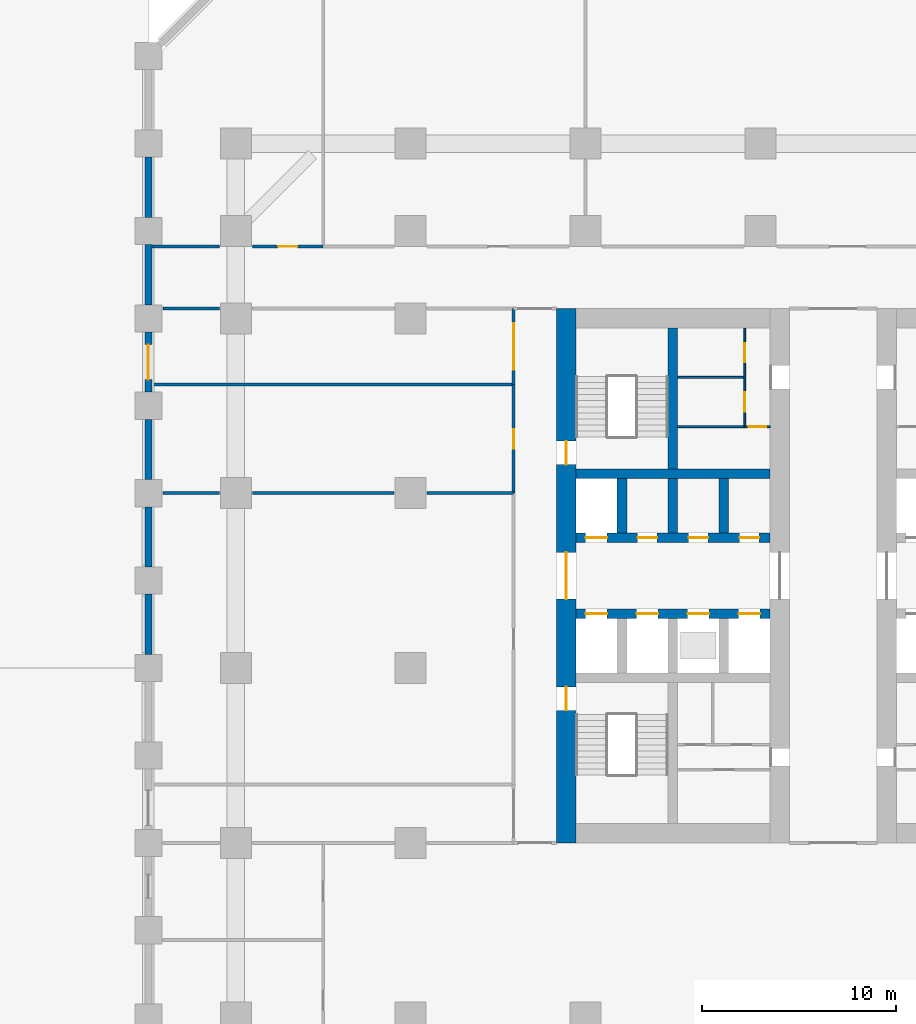
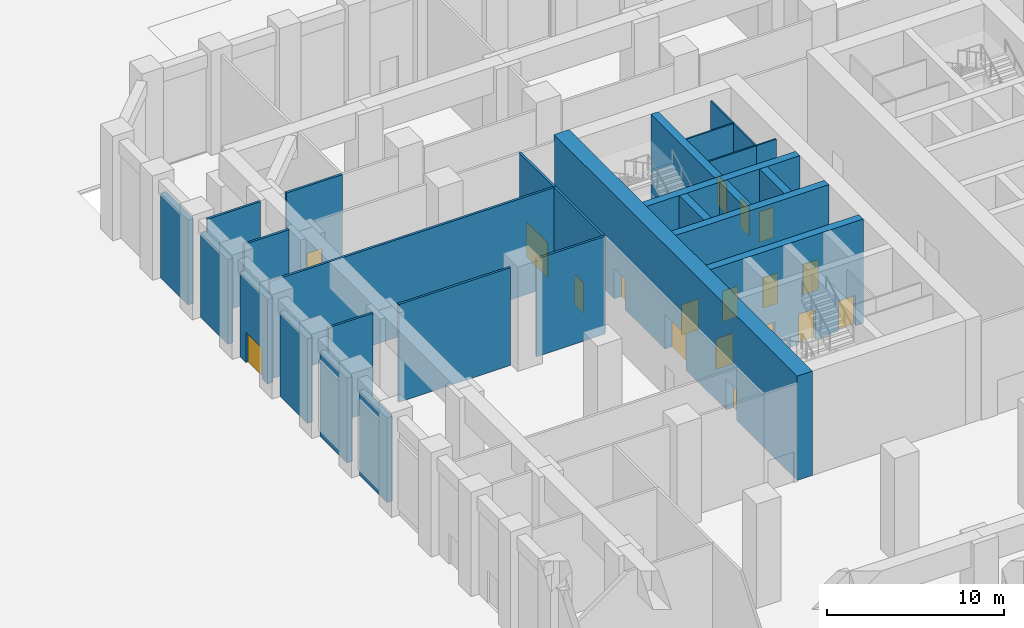
# One storey, part 13 of 30: 28 walls, 18 doors, 18 openings.
"""IFC4 building model written with IfcOpenShell, lengths in metres."""

import ifcopenshell
import ifcopenshell.guid

model = None  # the IFC model being written
_history = None  # IfcOwnerHistory: only IFC2X3 demands one
_inside = {}  # id of a spatial element -> (the spatial element, [elements in it])
_under = {}  # id of a project, library or spatial element -> (it, [spatial elements below it])
_declared = {}  # id of a project -> (the project, [libraries it declares])
_typed = {}  # id of a type object -> (the type object, [elements of that type])
_made_of = {}  # id of a material, layer set ... -> (it, [elements and type objects made of it])


def new_model(schema):
    """Start an empty IFC model of exactly this schema.

    Asked for "IFC4X3", IfcOpenShell would pick the latest addendum, in which some entities
    have other attributes; the version numbers below select the first issue.
    IFC2X3 requires an IfcOwnerHistory on every rooted entity: one is made here for all.
    """
    global model, _history
    if schema == "IFC4X3":
        model = ifcopenshell.file(schema_version=(4, 3, 0, 0))
    else:
        model = ifcopenshell.file(schema=schema)
    _inside.clear()
    _under.clear()
    _declared.clear()
    _typed.clear()
    _made_of.clear()
    _history = None
    if model.schema == "IFC2X3":
        org = make("IfcOrganization", Name="unknown")
        user = make(
            "IfcPersonAndOrganization",
            ThePerson=make("IfcPerson", FamilyName="unknown"),
            TheOrganization=org,
        )
        app = make(
            "IfcApplication",
            ApplicationDeveloper=org,
            Version="unknown",
            ApplicationFullName="unknown",
            ApplicationIdentifier="unknown",
        )
        _history = make(
            "IfcOwnerHistory",
            OwningUser=user,
            OwningApplication=app,
            ChangeAction="ADDED",
            CreationDate=0,
        )
    return model


def make(cls, **values):
    """One entity of the class cls with the attributes given. An attribute that is None is left unset."""
    return model.create_entity(
        cls, **{name: value for name, value in values.items() if value is not None}
    )


def rooted(cls, **values):
    """An entity with a GlobalId (a new one), such as an element, a storey or a relation."""
    return make(cls, GlobalId=ifcopenshell.guid.new(), OwnerHistory=_history, **values)


def si_unit(unit_type, name, prefix=None):
    """IfcSIUnit, for example si_unit("LENGTHUNIT", "METRE", prefix="MILLI")."""
    return make("IfcSIUnit", UnitType=unit_type, Prefix=prefix, Name=name)


def assignment(units):
    """IfcUnitAssignment: the units of a project."""
    return None if units is None else make("IfcUnitAssignment", Units=units)


def point(xyz):
    """IfcCartesianPoint."""
    return None if xyz is None else make("IfcCartesianPoint", Coordinates=xyz)


def direction(xyz):
    """IfcDirection."""
    return None if xyz is None else make("IfcDirection", DirectionRatios=xyz)


def frame(location, z_axis=None, x_axis=None):
    """IfcAxis2Placement3D, a coordinate frame: its origin and axes. An axis left out is left unset."""
    return make(
        "IfcAxis2Placement3D",
        Location=point(location),
        Axis=direction(z_axis),
        RefDirection=direction(x_axis),
    )


def frame_2d(location, x_axis=None):
    """IfcAxis2Placement2D, a coordinate frame in the plane: its origin and x axis."""
    return make(
        "IfcAxis2Placement2D", Location=point(location), RefDirection=direction(x_axis)
    )


def origin():
    """The frame at (0, 0, 0) with its axes left unset."""
    return frame((0.0, 0.0, 0.0))


def place(relative_to, where):
    """IfcLocalPlacement: puts the frame where relative to a parent placement (None: the world)."""
    return make(
        "IfcLocalPlacement", PlacementRelTo=relative_to, RelativePlacement=where
    )


def context(
    kind, dimensions, precision=None, world=None, true_north=None, identifier=None
):
    """IfcGeometricRepresentationContext, for example the 3D "Model" context."""
    return make(
        "IfcGeometricRepresentationContext",
        ContextIdentifier=identifier,
        ContextType=kind,
        CoordinateSpaceDimension=dimensions,
        Precision=precision,
        WorldCoordinateSystem=world,
        TrueNorth=true_north,
    )


def subcontext(parent, identifier, kind, view, scale=None):
    """IfcGeometricRepresentationSubContext, for example "Body" below "Model"."""
    return make(
        "IfcGeometricRepresentationSubContext",
        ContextIdentifier=identifier,
        ContextType=kind,
        ParentContext=parent,
        TargetScale=scale,
        TargetView=view,
    )


def project(units=None, contexts=None):
    """IfcProject with its units and contexts."""
    return rooted(
        "IfcProject",
        Name="project",
        RepresentationContexts=contexts,
        UnitsInContext=assignment(units),
    )


def spatial(cls, under=None, at=None, **own):
    """A site, building, storey or space (cls), placed at a placement, below another one or the project."""
    s = rooted(cls, ObjectPlacement=at, **own)
    if under is not None:
        _under.setdefault(under.id(), (under, []))[1].append(s)
    return s


def profile(cls, at=None, kind="AREA", **sizes):
    """A parametric profile (cls). Its sizes go by their IFC names, for example OverallWidth=200.0."""
    return make(cls, ProfileType=kind, Position=at, **sizes)


def rectangle(**sizes):
    """IfcRectangleProfileDef."""
    return profile("IfcRectangleProfileDef", **sizes)


def extrude(swept, where, along, depth):
    """IfcExtrudedAreaSolid: the profile swept, set in the frame where, extruded along a direction by depth."""
    return make(
        "IfcExtrudedAreaSolid",
        SweptArea=swept,
        Position=where,
        ExtrudedDirection=direction(along),
        Depth=depth,
    )


def shape(context_of_items, identifier, shape_type, items):
    """IfcShapeRepresentation: the items that make up one representation, for example the "Body"."""
    return make(
        "IfcShapeRepresentation",
        ContextOfItems=context_of_items,
        RepresentationIdentifier=identifier,
        RepresentationType=shape_type,
        Items=items,
    )


def material(Name=None, Category=None):
    """IfcMaterial."""
    return make("IfcMaterial", Name=Name, Category=Category)


def layer(
    of_material, thickness, ventilated=None, Name=None, Category=None, Priority=None
):
    """IfcMaterialLayer: one layer of a wall or slab, of a material (None: an air gap)."""
    return make(
        "IfcMaterialLayer",
        Material=of_material,
        LayerThickness=thickness,
        IsVentilated=ventilated,
        Name=Name,
        Category=Category,
        Priority=Priority,
    )


def layer_set(layers, Name=None):
    """IfcMaterialLayerSet."""
    return make("IfcMaterialLayerSet", MaterialLayers=layers, LayerSetName=Name)


def made_of(thing, what):
    """Note that an element or type object is made of a material, layer set ...; save() writes the relation."""
    if what is not None:
        _made_of.setdefault(what.id(), (what, []))[1].append(thing)
    return thing


def type_object(cls, material=None, **own):
    """A type object (cls), such as IfcWallType, which elements share."""
    return made_of(rooted(cls, **own), material)


def element(
    cls,
    number,
    at=None,
    inside=None,
    cuts=None,
    type_object=None,
    material=None,
    context=None,
    identifier="Body",
    shape_type=None,
    held_by="IfcProductDefinitionShape",
    body=None,
    shapes=None,
    **own,
):
    """One element of the class cls, such as IfcWall. Its Tag is "e" and its number.

    at: its placement. inside: the storey or other place that contains it. cuts: it is an
    opening in that element (IfcRelVoidsElement). A single representation is given by context,
    identifier, shape_type and body (its items); several are given by shapes. held_by: the class
    of the entity that holds the representations. save() writes the other relations.
    """
    e = rooted(cls, Tag="e%d" % number, ObjectPlacement=at, **own)
    if body is not None:
        shapes = [shape(context, identifier, shape_type, body)]
    if shapes is not None:
        e.Representation = make(held_by, Representations=shapes)
    if inside is not None:
        _inside.setdefault(inside.id(), (inside, []))[1].append(e)
    if cuts is not None:
        rooted(
            "IfcRelVoidsElement", RelatingBuildingElement=cuts, RelatedOpeningElement=e
        )
    if type_object is not None:
        _typed.setdefault(type_object.id(), (type_object, []))[1].append(e)
    return made_of(e, material)


def fill(opening, filler):
    """IfcRelFillsElement: the door or window that sits in an opening."""
    return rooted(
        "IfcRelFillsElement",
        RelatingOpeningElement=opening,
        RelatedBuildingElement=filler,
    )


def aggregate(whole, parts):
    """IfcRelAggregates: a whole, such as a stair, and the parts it consists of."""
    return rooted("IfcRelAggregates", RelatingObject=whole, RelatedObjects=parts)


def save(model, path):
    """Write the relations noted so far, then the file.

    IfcRelAggregates (storeys below a building ...), IfcRelContainedInSpatialStructure (elements
    in a storey), IfcRelDefinesByType, IfcRelAssociatesMaterial and IfcRelDeclares: one each for
    every whole, place, type object, material and project.
    """
    for whole, parts in _under.values():
        aggregate(whole, parts)
    for where, things in _inside.values():
        rooted(
            "IfcRelContainedInSpatialStructure",
            RelatedElements=things,
            RelatingStructure=where,
        )
    for kind, things in _typed.values():
        rooted("IfcRelDefinesByType", RelatedObjects=things, RelatingType=kind)
    for what, things in _made_of.values():
        rooted("IfcRelAssociatesMaterial", RelatedObjects=things, RelatingMaterial=what)
    for by, libraries in _declared.values():
        rooted("IfcRelDeclares", RelatingContext=by, RelatedDefinitions=libraries)
    model.write(path)


model = new_model("IFC4")

# Units and contexts
model_context = context("Model", 3, precision=1e-05, world=origin(), true_north=direction((0.0, 1.0)))
body_context = subcontext(model_context, "Body", "Model", "MODEL_VIEW")
ifc_project = project(units=[si_unit("LENGTHUNIT", "METRE"), si_unit("AREAUNIT", "SQUARE_METRE"), si_unit("VOLUMEUNIT", "CUBIC_METRE"), si_unit("PLANEANGLEUNIT", "RADIAN"), si_unit("MASSUNIT", "GRAM", prefix="KILO")], contexts=[model_context])

# Site, building, storey
site_placement = place(None, origin())
site = spatial("IfcSite", under=ifc_project, at=site_placement, CompositionType="ELEMENT")
building_placement = place(site_placement, origin())
building = spatial("IfcBuilding", under=site, at=building_placement, Name="Corbel Stack Research Tower", CompositionType="ELEMENT")
storey_placement = place(building_placement, origin())
storey = spatial("IfcBuildingStorey", under=building, at=storey_placement, Name="L00", CompositionType="ELEMENT", Elevation=0.0)

# Wall, opening, door
ifc_material_1 = material(Name="Concrete block", Category="concrete")
ifc_layer_1 = layer(ifc_material_1, 0.14990234375)
ifc_layer_set_1 = layer_set([ifc_layer_1], Name="Concrete block")
wall_type_1 = type_object("IfcWallType", Name="Base partition 150 L00", PredefinedType="PARTITIONING", material=ifc_layer_set_1)
wall_1_placement = place(storey_placement, frame((-12.699951171875, 9.0, 0.0), z_axis=(0.0, 0.0, 1.0), x_axis=(0.0, 1.0, 0.0)))
wall_1 = element("IfcWall", 1, at=wall_1_placement, inside=storey, type_object=wall_type_1, Name="Partition L00", PredefinedType="PARTITIONING", context=body_context, shape_type="SweptSolid", body=[
    extrude(rectangle(XDim=5.60009765625, YDim=0.14990234375, at=frame_2d((2.800048828125, 0.0))), origin(), (0.0, 0.0, 1.0), 6.75),
])
opening_1_placement = place(wall_1_placement, frame((2.300048828125, 0.0, 0.0)))
opening_1 = element("IfcOpeningElement", 2, at=opening_1_placement, cuts=wall_1, Name="Opening BD-L00-06", PredefinedType="OPENING", context=body_context, shape_type="SweptSolid", body=[
    extrude(rectangle(XDim=1.0, YDim=2.10009765625, at=frame_2d((0.5, 1.050048828125))), frame((0.0, 0.0849609375, 0.0), z_axis=(0.0, -1.0, 0.0), x_axis=(1.0, 0.0, 0.0)), (0.0, 0.0, 1.0), 0.169921875),
])
ifc_material_2 = material(Name="Painted timber door", Category="wood")
door_type_1 = type_object("IfcDoorType", Name="WC door 1000 x 2100 right hand", OperationType="SINGLE_SWING_RIGHT", PredefinedType="DOOR", material=ifc_material_2)
door_1_placement = place(opening_1_placement, origin())
door_1 = element("IfcDoor", 3, at=door_1_placement, inside=storey, type_object=door_type_1, Name="Seminar room door", OperationType="SINGLE_SWING_RIGHT", OverallHeight=2.10009765625, OverallWidth=1.0, PredefinedType="DOOR", context=body_context, shape_type="SweptSolid", body=[
    extrude(rectangle(XDim=1.0, YDim=2.10009765625, at=frame_2d((0.5, 1.050048828125))), frame((0.0, 0.02490234375, 0.0), z_axis=(0.0, -1.0, 0.0), x_axis=(1.0, 0.0, 0.0)), (0.0, 0.0, 1.0), 0.050048828125),
])
fill(opening_1, door_1)

wall_2_placement = place(storey_placement, frame((-12.699951171875, 14.60009765625, 0.0), z_axis=(0.0, 0.0, 1.0), x_axis=(0.0, 1.0, 0.0)))
wall_2 = element("IfcWall", 4, at=wall_2_placement, inside=storey, type_object=wall_type_1, Name="Partition L00", PredefinedType="PARTITIONING", context=body_context, shape_type="SweptSolid", body=[
    extrude(rectangle(XDim=3.89990234375, YDim=0.14990234375, at=frame_2d((1.949951171875, 0.0))), origin(), (0.0, 0.0, 1.0), 6.75),
])
opening_2_placement = place(wall_2_placement, frame((0.75, 0.0, 0.0)))
opening_2 = element("IfcOpeningElement", 5, at=opening_2_placement, cuts=wall_2, Name="Opening BD-L00-19", PredefinedType="OPENING", context=body_context, shape_type="SweptSolid", body=[
    extrude(rectangle(XDim=2.39990234375, YDim=2.39990234375, at=frame_2d((1.199951171875, 1.199951171875))), frame((0.0, 0.0849609375, 0.0), z_axis=(0.0, -1.0, 0.0), x_axis=(1.0, 0.0, 0.0)), (0.0, 0.0, 1.0), 0.169921875),
])
ifc_material_3 = material(Name="Painted steel fire door", Category="steel")
door_type_2 = type_object("IfcDoorType", Name="Lobby door pair 2400 x 2400 FD60", OperationType="DOUBLE_DOOR_DOUBLE_SWING", PredefinedType="DOOR", material=ifc_material_3)
door_2_placement = place(opening_2_placement, origin())
door_2 = element("IfcDoor", 6, at=door_2_placement, inside=storey, type_object=door_type_2, Name="Stair vestibule west to Exit passage ST-W2 opening", OperationType="DOUBLE_DOOR_DOUBLE_SWING", OverallHeight=2.39990234375, OverallWidth=2.39990234375, PredefinedType="DOOR", context=body_context, shape_type="SweptSolid", body=[
    extrude(rectangle(XDim=2.39990234375, YDim=2.39990234375, at=frame_2d((1.199951171875, 1.199951171875))), frame((0.0, 0.02490234375, 0.0), z_axis=(0.0, -1.0, 0.0), x_axis=(1.0, 0.0, 0.0)), (0.0, 0.0, 1.0), 0.050048828125),
])
fill(opening_2, door_2)

# Walls
wall_3_placement = place(storey_placement, frame((-17.14990234375, 9.0, 0.0), z_axis=(0.0, 0.0, 1.0), x_axis=(1.0, 0.0, 0.0)))
element("IfcWall", 7, at=wall_3_placement, inside=storey, type_object=wall_type_1, Name="Partition L00", PredefinedType="PARTITIONING", context=body_context, shape_type="SweptSolid", body=[
    extrude(rectangle(XDim=4.449951171875, YDim=0.14990234375, at=frame_2d((2.22509765625, 0.0))), origin(), (0.0, 0.0, 1.0), 6.75),
])
wall_4_placement = place(storey_placement, frame((-26.14990234375, 9.0, 0.0), z_axis=(0.0, 0.0, 1.0), x_axis=(1.0, 0.0, 0.0)))
element("IfcWall", 8, at=wall_4_placement, inside=storey, type_object=wall_type_1, Name="Partition L00", PredefinedType="PARTITIONING", context=body_context, shape_type="SweptSolid", body=[
    extrude(rectangle(XDim=7.2998046875, YDim=0.14990234375, at=frame_2d((3.64990234375, 0.0))), origin(), (0.0, 0.0, 1.0), 6.75),
])
wall_5_placement = place(storey_placement, frame((-30.75, 9.0, 0.0), z_axis=(0.0, 0.0, 1.0), x_axis=(1.0, 0.0, 0.0)))
element("IfcWall", 9, at=wall_5_placement, inside=storey, type_object=wall_type_1, Name="Partition L00", PredefinedType="PARTITIONING", context=body_context, shape_type="SweptSolid", body=[
    extrude(rectangle(XDim=2.89990234375, YDim=0.14990234375, at=frame_2d((1.449951171875, 0.0))), origin(), (0.0, 0.0, 1.0), 6.75),
])
wall_6_placement = place(storey_placement, frame((-31.324951171875, 14.60009765625, 0.0), z_axis=(0.0, 0.0, 1.0), x_axis=(1.0, 0.0, 0.0)))
element("IfcWall", 10, at=wall_6_placement, inside=storey, type_object=wall_type_1, Name="Partition L00", PredefinedType="PARTITIONING", context=body_context, shape_type="SweptSolid", body=[
    extrude(rectangle(XDim=18.625, YDim=0.14990234375, at=frame_2d((9.3125, 0.0))), origin(), (0.0, 0.0, 1.0), 6.75),
])
wall_7_placement = place(storey_placement, frame((-30.75, 18.5, 0.0), z_axis=(0.0, 0.0, 1.0), x_axis=(1.0, 0.0, 0.0)))
element("IfcWall", 11, at=wall_7_placement, inside=storey, type_object=wall_type_1, Name="Partition L00", PredefinedType="PARTITIONING", context=body_context, shape_type="SweptSolid", body=[
    extrude(rectangle(XDim=2.89990234375, YDim=0.14990234375, at=frame_2d((1.449951171875, 0.0))), origin(), (0.0, 0.0, 1.0), 6.75),
])

# Wall, opening, door
wall_8_placement = place(storey_placement, frame((-26.14990234375, 21.699951171875, 0.0), z_axis=(0.0, 0.0, 1.0), x_axis=(1.0, 0.0, 0.0)))
wall_8 = element("IfcWall", 12, at=wall_8_placement, inside=storey, type_object=wall_type_1, Name="Partition L00", PredefinedType="PARTITIONING", context=body_context, shape_type="SweptSolid", body=[
    extrude(rectangle(XDim=3.64990234375, YDim=0.14990234375, at=frame_2d((1.824951171875, 0.0))), origin(), (0.0, 0.0, 1.0), 6.75),
])
opening_3_placement = place(wall_8_placement, frame((1.324951171875, 0.0, 0.0)))
opening_3 = element("IfcOpeningElement", 13, at=opening_3_placement, cuts=wall_8, Name="Opening BD-L00-10", PredefinedType="OPENING", context=body_context, shape_type="SweptSolid", body=[
    extrude(rectangle(XDim=1.0, YDim=2.10009765625, at=frame_2d((0.5, 1.050048828125))), frame((0.0, 0.0849609375, 0.0), z_axis=(0.0, -1.0, 0.0), x_axis=(1.0, 0.0, 0.0)), (0.0, 0.0, 1.0), 0.169921875),
])
ifc_material_4 = material(Name="Painted steel door", Category="steel")
door_type_3 = type_object("IfcDoorType", Name="Service door 1000 x 2100 FD30 right hand", OperationType="SINGLE_SWING_RIGHT", PredefinedType="DOOR", material=ifc_material_4)
door_3_placement = place(opening_3_placement, origin())
door_3 = element("IfcDoor", 14, at=door_3_placement, inside=storey, type_object=door_type_3, Name="Mail and parcel room door", OperationType="SINGLE_SWING_RIGHT", OverallHeight=2.10009765625, OverallWidth=1.0, PredefinedType="DOOR", context=body_context, shape_type="SweptSolid", body=[
    extrude(rectangle(XDim=1.0, YDim=2.10009765625, at=frame_2d((0.5, 1.050048828125))), frame((0.0, 0.02490234375, 0.0), z_axis=(0.0, -1.0, 0.0), x_axis=(1.0, 0.0, 0.0)), (0.0, 0.0, 1.0), 0.050048828125),
])
fill(opening_3, door_3)

# Walls
wall_9_placement = place(storey_placement, frame((-31.324951171875, 21.699951171875, 0.0), z_axis=(0.0, 0.0, 1.0), x_axis=(1.0, 0.0, 0.0)))
element("IfcWall", 15, at=wall_9_placement, inside=storey, type_object=wall_type_1, Name="Partition L00", PredefinedType="PARTITIONING", context=body_context, shape_type="SweptSolid", body=[
    extrude(rectangle(XDim=3.474853515625, YDim=0.14990234375, at=frame_2d((1.7373046875, 0.0))), origin(), (0.0, 0.0, 1.0), 6.75),
])
ifc_material_5 = material(Name="Concrete C45/55", Category="concrete")
ifc_layer_2 = layer(ifc_material_5, 0.35009765625)
ifc_layer_set_2 = layer_set([ifc_layer_2], Name="Concrete C45/55")
wall_type_2 = type_object("IfcWallType", Name="Board-marked concrete wall 350", PredefinedType="SOLIDWALL", material=ifc_layer_set_2)
for number, where, z_axis, x_axis, name in (
    (16, (-31.5, 23.199951171875, 0.0), (0.0, 0.0, 1.0), (0.0, 1.0, 0.0), "Facade wall L00 W02"),
    (17, (-31.5, 18.699951171875, 0.0), (0.0, 0.0, 1.0), (0.0, 1.0, 0.0), "Facade wall L00 W03"),
):
    element("IfcWall", number, at=place(storey_placement, frame(where, z_axis=z_axis, x_axis=x_axis)), inside=storey, type_object=wall_type_2, Name=name, PredefinedType="SOLIDWALL", context=body_context, shape_type="SweptSolid", body=[
        extrude(rectangle(XDim=3.10009765625, YDim=0.35009765625, at=frame_2d((1.550048828125, 0.0))), origin(), (0.0, 0.0, 1.0), 5.85009765625),
    ])

# Wall, opening, door
wall_10_placement = place(storey_placement, frame((-31.5, 14.199951171875, 0.0), z_axis=(0.0, 0.0, 1.0), x_axis=(0.0, 1.0, 0.0)))
wall_10 = element("IfcWall", 18, at=wall_10_placement, inside=storey, type_object=wall_type_2, Name="Facade wall L00 W04", PredefinedType="SOLIDWALL", context=body_context, shape_type="SweptSolid", body=[
    extrude(rectangle(XDim=3.10009765625, YDim=0.35009765625, at=frame_2d((1.550048828125, 0.0))), origin(), (0.0, 0.0, 1.0), 5.85009765625),
])
opening_4_placement = place(wall_10_placement, frame((0.64990234375, 0.0, 0.0)))
opening_4 = element("IfcOpeningElement", 19, at=opening_4_placement, cuts=wall_10, Name="Opening EX-6", PredefinedType="OPENING", context=body_context, shape_type="SweptSolid", body=[
    extrude(rectangle(XDim=1.800048828125, YDim=2.10009765625, at=frame_2d((0.89990234375, 1.050048828125))), frame((0.0, 0.18505859375, 0.0), z_axis=(0.0, -1.0, 0.0), x_axis=(1.0, 0.0, 0.0)), (0.0, 0.0, 1.0), 0.3701171875),
])
ifc_material_6 = material(Name="Painted steel door", Category="steel")
door_type_4 = type_object("IfcDoorType", Name="Exit door pair 1800 x 2100", OperationType="DOUBLE_DOOR_DOUBLE_SWING", PredefinedType="DOOR", material=ifc_material_6)
door_4_placement = place(opening_4_placement, origin())
door_4 = element("IfcDoor", 20, at=door_4_placement, inside=storey, type_object=door_type_4, Name="Exit door pair EX-6", OperationType="DOUBLE_DOOR_DOUBLE_SWING", OverallHeight=2.10009765625, OverallWidth=1.800048828125, PredefinedType="DOOR", context=body_context, shape_type="SweptSolid", body=[
    extrude(rectangle(XDim=1.800048828125, YDim=2.10009765625, at=frame_2d((0.89990234375, 1.050048828125))), frame((0.0, 0.02490234375, 0.0), z_axis=(0.0, -1.0, 0.0), x_axis=(1.0, 0.0, 0.0)), (0.0, 0.0, 1.0), 0.050048828125),
])
fill(opening_4, door_4)

# Walls
for number, where, z_axis, x_axis, name in (
    (21, (-31.5, 9.699951171875, 0.0), (0.0, 0.0, 1.0), (0.0, 1.0, 0.0), "Facade wall L00 W05"),
    (22, (-31.5, 5.199951171875, 0.0), (0.0, 0.0, 1.0), (0.0, 1.0, 0.0), "Facade wall L00 W06"),
    (23, (-31.5, 0.699951171875, 0.0), (0.0, 0.0, 1.0), (0.0, 1.0, 0.0), "Facade wall L00 W07"),
):
    element("IfcWall", number, at=place(storey_placement, frame(where, z_axis=z_axis, x_axis=x_axis)), inside=storey, type_object=wall_type_2, Name=name, PredefinedType="SOLIDWALL", context=body_context, shape_type="SweptSolid", body=[
        extrude(rectangle(XDim=3.10009765625, YDim=0.35009765625, at=frame_2d((1.550048828125, 0.0))), origin(), (0.0, 0.0, 1.0), 5.85009765625),
    ])

# Wall, openings, doors
ifc_material_7 = material(Name="Concrete C70/85", Category="concrete")
ifc_layer_3 = layer(ifc_material_7, 1.0)
ifc_layer_set_3 = layer_set([ifc_layer_3], Name="Concrete C70/85")
wall_type_3 = type_object("IfcWallType", Name="CW-1000-70", PredefinedType="SHEAR", material=ifc_layer_set_3)
wall_11_placement = place(storey_placement, frame((-10.0, -9.0, 0.0), z_axis=(0.0, 0.0, 1.0), x_axis=(0.0, 1.0, 0.0)))
wall_11 = element("IfcWall", 24, at=wall_11_placement, inside=storey, type_object=wall_type_3, Name="West core wall, west face L00", PredefinedType="SHEAR", context=body_context, shape_type="SweptSolid", body=[
    extrude(rectangle(XDim=27.5, YDim=1.0, at=frame_2d((13.75, 0.0))), origin(), (0.0, 0.0, 1.0), 7.199951171875),
])
opening_5_placement = place(wall_11_placement, frame((12.550048828125, 0.0, 0.0)))
opening_5 = element("IfcOpeningElement", 25, at=opening_5_placement, cuts=wall_11, Name="Opening CD-W-W", PredefinedType="OPENING", context=body_context, shape_type="SweptSolid", body=[
    extrude(rectangle(XDim=2.39990234375, YDim=2.39990234375, at=frame_2d((1.199951171875, 1.199951171875))), frame((0.0, 0.510009765625, 0.0), z_axis=(0.0, -1.0, 0.0), x_axis=(1.0, 0.0, 0.0)), (0.0, 0.0, 1.0), 1.02001953125),
])
opening_6_placement = place(wall_11_placement, frame((6.824951171875, 0.0, 0.0)))
opening_6 = element("IfcOpeningElement", 26, at=opening_6_placement, cuts=wall_11, Name="Opening SD-ST-W1", PredefinedType="OPENING", context=body_context, shape_type="SweptSolid", body=[
    extrude(rectangle(XDim=1.199951171875, YDim=2.10009765625, at=frame_2d((0.60009765625, 1.050048828125))), frame((0.0, 0.510009765625, 0.0), z_axis=(0.0, -1.0, 0.0), x_axis=(1.0, 0.0, 0.0)), (0.0, 0.0, 1.0), 1.02001953125),
])
opening_7_placement = place(wall_11_placement, frame((19.47509765625, 0.0, 0.0)))
opening_7 = element("IfcOpeningElement", 27, at=opening_7_placement, cuts=wall_11, Name="Opening SD-ST-W2", PredefinedType="OPENING", context=body_context, shape_type="SweptSolid", body=[
    extrude(rectangle(XDim=1.199951171875, YDim=2.10009765625, at=frame_2d((0.60009765625, 1.050048828125))), frame((0.0, 0.510009765625, 0.0), z_axis=(0.0, -1.0, 0.0), x_axis=(1.0, 0.0, 0.0)), (0.0, 0.0, 1.0), 1.02001953125),
])
ifc_material_8 = material(Name="Painted steel fire door", Category="steel")
door_type_5 = type_object("IfcDoorType", Name="Lobby door pair 2400 x 2400 FD30S", OperationType="DOUBLE_DOOR_DOUBLE_SWING", PredefinedType="DOOR", material=ifc_material_8)
door_5_placement = place(opening_5_placement, origin())
door_5 = element("IfcDoor", 28, at=door_5_placement, inside=storey, type_object=door_type_5, Name="Lift lobby door W core W", OperationType="DOUBLE_DOOR_DOUBLE_SWING", OverallHeight=2.39990234375, OverallWidth=2.39990234375, PredefinedType="DOOR", context=body_context, shape_type="SweptSolid", body=[
    extrude(rectangle(XDim=2.39990234375, YDim=2.39990234375, at=frame_2d((1.199951171875, 1.199951171875))), frame((0.0, 0.02490234375, 0.0), z_axis=(0.0, -1.0, 0.0), x_axis=(1.0, 0.0, 0.0)), (0.0, 0.0, 1.0), 0.050048828125),
])
fill(opening_5, door_5)
ifc_material_9 = material(Name="Painted steel fire door", Category="steel")
door_type_6 = type_object("IfcDoorType", Name="Stair door 1200 x 2100 FD90 left hand", OperationType="SINGLE_SWING_LEFT", PredefinedType="DOOR", material=ifc_material_9)
door_6_placement = place(opening_6_placement, origin())
door_6 = element("IfcDoor", 29, at=door_6_placement, inside=storey, type_object=door_type_6, Name="Stair door ST-W1", OperationType="SINGLE_SWING_LEFT", OverallHeight=2.10009765625, OverallWidth=1.199951171875, PredefinedType="DOOR", context=body_context, shape_type="SweptSolid", body=[
    extrude(rectangle(XDim=1.199951171875, YDim=2.10009765625, at=frame_2d((0.60009765625, 1.050048828125))), frame((0.0, 0.02490234375, 0.0), z_axis=(0.0, -1.0, 0.0), x_axis=(1.0, 0.0, 0.0)), (0.0, 0.0, 1.0), 0.050048828125),
])
fill(opening_6, door_6)
door_7_placement = place(opening_7_placement, origin())
door_7 = element("IfcDoor", 30, at=door_7_placement, inside=storey, type_object=door_type_6, Name="Stair door ST-W2", OperationType="SINGLE_SWING_LEFT", OverallHeight=2.10009765625, OverallWidth=1.199951171875, PredefinedType="DOOR", context=body_context, shape_type="SweptSolid", body=[
    extrude(rectangle(XDim=1.199951171875, YDim=2.10009765625, at=frame_2d((0.60009765625, 1.050048828125))), frame((0.0, 0.02490234375, 0.0), z_axis=(0.0, -1.0, 0.0), x_axis=(1.0, 0.0, 0.0)), (0.0, 0.0, 1.0), 0.050048828125),
])
fill(opening_7, door_7)

ifc_material_10 = material(Name="Concrete C70/85", Category="concrete")
ifc_layer_4 = layer(ifc_material_10, 0.5)
ifc_layer_set_4 = layer_set([ifc_layer_4], Name="Concrete C70/85")
wall_type_4 = type_object("IfcWallType", Name="CW-500-70", PredefinedType="SHEAR", material=ifc_layer_set_4)
wall_12_placement = place(storey_placement, frame((-9.5, 2.800048828125, 0.0), z_axis=(0.0, 0.0, 1.0), x_axis=(1.0, 0.0, 0.0)))
wall_12 = element("IfcWall", 31, at=wall_12_placement, inside=storey, type_object=wall_type_4, Name="West core wall, lobby south L00", PredefinedType="SHEAR", context=body_context, shape_type="SweptSolid", body=[
    extrude(rectangle(XDim=10.0, YDim=0.5, at=frame_2d((5.0, 0.0))), origin(), (0.0, 0.0, 1.0), 7.199951171875),
])
opening_8_placement = place(wall_12_placement, frame((0.512451171875, 0.0, 0.0)))
opening_8 = element("IfcOpeningElement", 32, at=opening_8_placement, cuts=wall_12, Name="Opening LD-FS1", PredefinedType="OPENING", context=body_context, shape_type="SweptSolid", body=[
    extrude(rectangle(XDim=1.10009765625, YDim=2.10009765625, at=frame_2d((0.550048828125, 1.050048828125))), frame((0.0, 0.260009765625, 0.0), z_axis=(0.0, -1.0, 0.0), x_axis=(1.0, 0.0, 0.0)), (0.0, 0.0, 1.0), 0.52001953125),
])
opening_9_placement = place(wall_12_placement, frame((3.137451171875, 0.0, 0.0)))
opening_9 = element("IfcOpeningElement", 33, at=opening_9_placement, cuts=wall_12, Name="Opening LD-GL1", PredefinedType="OPENING", context=body_context, shape_type="SweptSolid", body=[
    extrude(rectangle(XDim=1.10009765625, YDim=2.10009765625, at=frame_2d((0.550048828125, 1.050048828125))), frame((0.0, 0.260009765625, 0.0), z_axis=(0.0, -1.0, 0.0), x_axis=(1.0, 0.0, 0.0)), (0.0, 0.0, 1.0), 0.52001953125),
])
opening_10_placement = place(wall_12_placement, frame((5.762451171875, 0.0, 0.0)))
opening_10 = element("IfcOpeningElement", 34, at=opening_10_placement, cuts=wall_12, Name="Opening LD-SH1", PredefinedType="OPENING", context=body_context, shape_type="SweptSolid", body=[
    extrude(rectangle(XDim=1.10009765625, YDim=2.10009765625, at=frame_2d((0.550048828125, 1.050048828125))), frame((0.0, 0.260009765625, 0.0), z_axis=(0.0, -1.0, 0.0), x_axis=(1.0, 0.0, 0.0)), (0.0, 0.0, 1.0), 0.52001953125),
])
opening_11_placement = place(wall_12_placement, frame((8.387451171875, 0.0, 0.0)))
opening_11 = element("IfcOpeningElement", 35, at=opening_11_placement, cuts=wall_12, Name="Opening LD-LR1", PredefinedType="OPENING", context=body_context, shape_type="SweptSolid", body=[
    extrude(rectangle(XDim=1.10009765625, YDim=2.10009765625, at=frame_2d((0.550048828125, 1.050048828125))), frame((0.0, 0.260009765625, 0.0), z_axis=(0.0, -1.0, 0.0), x_axis=(1.0, 0.0, 0.0)), (0.0, 0.0, 1.0), 0.52001953125),
])
ifc_material_11 = material(Name="Stainless steel landing door", Category="steel")
door_type_7 = type_object("IfcDoorType", Name="Lift landing door 1100 x 2100", OperationType="DOUBLE_DOOR_SLIDING", PredefinedType="DOOR", material=ifc_material_11)
door_8_placement = place(opening_8_placement, origin())
door_8 = element("IfcDoor", 36, at=door_8_placement, inside=storey, type_object=door_type_7, Name="Landing door FS1", OperationType="DOUBLE_DOOR_SLIDING", OverallHeight=2.10009765625, OverallWidth=1.10009765625, PredefinedType="DOOR", context=body_context, shape_type="SweptSolid", body=[
    extrude(rectangle(XDim=1.10009765625, YDim=2.10009765625, at=frame_2d((0.550048828125, 1.050048828125))), frame((0.0, 0.02490234375, 0.0), z_axis=(0.0, -1.0, 0.0), x_axis=(1.0, 0.0, 0.0)), (0.0, 0.0, 1.0), 0.050048828125),
])
fill(opening_8, door_8)
door_9_placement = place(opening_9_placement, origin())
door_9 = element("IfcDoor", 37, at=door_9_placement, inside=storey, type_object=door_type_7, Name="Landing door GL1", OperationType="DOUBLE_DOOR_SLIDING", OverallHeight=2.10009765625, OverallWidth=1.10009765625, PredefinedType="DOOR", context=body_context, shape_type="SweptSolid", body=[
    extrude(rectangle(XDim=1.10009765625, YDim=2.10009765625, at=frame_2d((0.550048828125, 1.050048828125))), frame((0.0, 0.02490234375, 0.0), z_axis=(0.0, -1.0, 0.0), x_axis=(1.0, 0.0, 0.0)), (0.0, 0.0, 1.0), 0.050048828125),
])
fill(opening_9, door_9)
door_10_placement = place(opening_10_placement, origin())
door_10 = element("IfcDoor", 38, at=door_10_placement, inside=storey, type_object=door_type_7, Name="Landing door SH1", OperationType="DOUBLE_DOOR_SLIDING", OverallHeight=2.10009765625, OverallWidth=1.10009765625, PredefinedType="DOOR", context=body_context, shape_type="SweptSolid", body=[
    extrude(rectangle(XDim=1.10009765625, YDim=2.10009765625, at=frame_2d((0.550048828125, 1.050048828125))), frame((0.0, 0.02490234375, 0.0), z_axis=(0.0, -1.0, 0.0), x_axis=(1.0, 0.0, 0.0)), (0.0, 0.0, 1.0), 0.050048828125),
])
fill(opening_10, door_10)
door_11_placement = place(opening_11_placement, origin())
door_11 = element("IfcDoor", 39, at=door_11_placement, inside=storey, type_object=door_type_7, Name="Landing door LR1", OperationType="DOUBLE_DOOR_SLIDING", OverallHeight=2.10009765625, OverallWidth=1.10009765625, PredefinedType="DOOR", context=body_context, shape_type="SweptSolid", body=[
    extrude(rectangle(XDim=1.10009765625, YDim=2.10009765625, at=frame_2d((0.550048828125, 1.050048828125))), frame((0.0, 0.02490234375, 0.0), z_axis=(0.0, -1.0, 0.0), x_axis=(1.0, 0.0, 0.0)), (0.0, 0.0, 1.0), 0.050048828125),
])
fill(opening_11, door_11)

wall_13_placement = place(storey_placement, frame((-9.5, 6.699951171875, 0.0), z_axis=(0.0, 0.0, 1.0), x_axis=(1.0, 0.0, 0.0)))
wall_13 = element("IfcWall", 40, at=wall_13_placement, inside=storey, type_object=wall_type_4, Name="West core wall, lobby north L00", PredefinedType="SHEAR", context=body_context, shape_type="SweptSolid", body=[
    extrude(rectangle(XDim=10.0, YDim=0.5, at=frame_2d((5.0, 0.0))), origin(), (0.0, 0.0, 1.0), 7.199951171875),
])
opening_12_placement = place(wall_13_placement, frame((0.512451171875, 0.0, 0.0)))
opening_12 = element("IfcOpeningElement", 41, at=opening_12_placement, cuts=wall_13, Name="Opening LD-LR2", PredefinedType="OPENING", context=body_context, shape_type="SweptSolid", body=[
    extrude(rectangle(XDim=1.10009765625, YDim=2.10009765625, at=frame_2d((0.550048828125, 1.050048828125))), frame((0.0, 0.260009765625, 0.0), z_axis=(0.0, -1.0, 0.0), x_axis=(1.0, 0.0, 0.0)), (0.0, 0.0, 1.0), 0.52001953125),
])
opening_13_placement = place(wall_13_placement, frame((3.1875, 0.0, 0.0)))
opening_13 = element("IfcOpeningElement", 42, at=opening_13_placement, cuts=wall_13, Name="Opening CR-W24-N2", PredefinedType="OPENING", context=body_context, shape_type="SweptSolid", body=[
    extrude(rectangle(XDim=1.0, YDim=2.10009765625, at=frame_2d((0.5, 1.050048828125))), frame((0.0, 0.260009765625, 0.0), z_axis=(0.0, -1.0, 0.0), x_axis=(1.0, 0.0, 0.0)), (0.0, 0.0, 1.0), 0.52001953125),
])
opening_14_placement = place(wall_13_placement, frame((5.8125, 0.0, 0.0)))
opening_14 = element("IfcOpeningElement", 43, at=opening_14_placement, cuts=wall_13, Name="Opening CR-W24-N3", PredefinedType="OPENING", context=body_context, shape_type="SweptSolid", body=[
    extrude(rectangle(XDim=1.0, YDim=2.10009765625, at=frame_2d((0.5, 1.050048828125))), frame((0.0, 0.260009765625, 0.0), z_axis=(0.0, -1.0, 0.0), x_axis=(1.0, 0.0, 0.0)), (0.0, 0.0, 1.0), 0.52001953125),
])
opening_15_placement = place(wall_13_placement, frame((8.4375, 0.0, 0.0)))
opening_15 = element("IfcOpeningElement", 44, at=opening_15_placement, cuts=wall_13, Name="Opening CR-W24-N4", PredefinedType="OPENING", context=body_context, shape_type="SweptSolid", body=[
    extrude(rectangle(XDim=1.0, YDim=2.10009765625, at=frame_2d((0.5, 1.050048828125))), frame((0.0, 0.260009765625, 0.0), z_axis=(0.0, -1.0, 0.0), x_axis=(1.0, 0.0, 0.0)), (0.0, 0.0, 1.0), 0.52001953125),
])
door_12_placement = place(opening_12_placement, origin())
door_12 = element("IfcDoor", 45, at=door_12_placement, inside=storey, type_object=door_type_7, Name="Landing door LR2", OperationType="DOUBLE_DOOR_SLIDING", OverallHeight=2.10009765625, OverallWidth=1.10009765625, PredefinedType="DOOR", context=body_context, shape_type="SweptSolid", body=[
    extrude(rectangle(XDim=1.10009765625, YDim=2.10009765625, at=frame_2d((0.550048828125, 1.050048828125))), frame((0.0, 0.02490234375, 0.0), z_axis=(0.0, -1.0, 0.0), x_axis=(1.0, 0.0, 0.0)), (0.0, 0.0, 1.0), 0.050048828125),
])
fill(opening_12, door_12)
ifc_material_12 = material(Name="Painted steel door", Category="steel")
door_type_8 = type_object("IfcDoorType", Name="Service door 1000 x 2100 FD60 left hand", OperationType="SINGLE_SWING_LEFT", PredefinedType="DOOR", material=ifc_material_12)
door_13_placement = place(opening_14_placement, origin())
door_13 = element("IfcDoor", 46, at=door_13_placement, inside=storey, type_object=door_type_8, Name="Telecom room door W core", OperationType="SINGLE_SWING_LEFT", OverallHeight=2.10009765625, OverallWidth=1.0, PredefinedType="DOOR", context=body_context, shape_type="SweptSolid", body=[
    extrude(rectangle(XDim=1.0, YDim=2.10009765625, at=frame_2d((0.5, 1.050048828125))), frame((0.0, 0.02490234375, 0.0), z_axis=(0.0, -1.0, 0.0), x_axis=(1.0, 0.0, 0.0)), (0.0, 0.0, 1.0), 0.050048828125),
])
fill(opening_14, door_13)
ifc_material_13 = material(Name="Painted steel door", Category="steel")
door_type_9 = type_object("IfcDoorType", Name="Service door 1000 x 2100 FD60 right hand", OperationType="SINGLE_SWING_RIGHT", PredefinedType="DOOR", material=ifc_material_13)
door_14_placement = place(opening_13_placement, origin())
door_14 = element("IfcDoor", 47, at=door_14_placement, inside=storey, type_object=door_type_9, Name="Pump room door W core", OperationType="SINGLE_SWING_RIGHT", OverallHeight=2.10009765625, OverallWidth=1.0, PredefinedType="DOOR", context=body_context, shape_type="SweptSolid", body=[
    extrude(rectangle(XDim=1.0, YDim=2.10009765625, at=frame_2d((0.5, 1.050048828125))), frame((0.0, 0.02490234375, 0.0), z_axis=(0.0, -1.0, 0.0), x_axis=(1.0, 0.0, 0.0)), (0.0, 0.0, 1.0), 0.050048828125),
])
fill(opening_13, door_14)
door_15_placement = place(opening_15_placement, origin())
door_15 = element("IfcDoor", 48, at=door_15_placement, inside=storey, type_object=door_type_9, Name="Electrical switch room door W core", OperationType="SINGLE_SWING_RIGHT", OverallHeight=2.10009765625, OverallWidth=1.0, PredefinedType="DOOR", context=body_context, shape_type="SweptSolid", body=[
    extrude(rectangle(XDim=1.0, YDim=2.10009765625, at=frame_2d((0.5, 1.050048828125))), frame((0.0, 0.02490234375, 0.0), z_axis=(0.0, -1.0, 0.0), x_axis=(1.0, 0.0, 0.0)), (0.0, 0.0, 1.0), 0.050048828125),
])
fill(opening_15, door_15)

# Walls
wall_14_placement = place(storey_placement, frame((-9.5, 10.0, 0.0), z_axis=(0.0, 0.0, 1.0), x_axis=(1.0, 0.0, 0.0)))
element("IfcWall", 49, at=wall_14_placement, inside=storey, type_object=wall_type_4, Name="West core wall, north row back L00", PredefinedType="SHEAR", context=body_context, shape_type="SweptSolid", body=[
    extrude(rectangle(XDim=10.0, YDim=0.5, at=frame_2d((5.0, 0.0))), origin(), (0.0, 0.0, 1.0), 7.199951171875),
])
for number, where, z_axis, x_axis, name in (
    (50, (-7.125, 6.949951171875, 0.0), (0.0, 0.0, 1.0), (0.0, 1.0, 0.0), "West core wall, north shaft 1 L00"),
    (51, (-4.5, 6.949951171875, 0.0), (0.0, 0.0, 1.0), (0.0, 1.0, 0.0), "West core wall, north shaft 2 L00"),
    (52, (-1.875, 6.949951171875, 0.0), (0.0, 0.0, 1.0), (0.0, 1.0, 0.0), "West core wall, north shaft 3 L00"),
):
    element("IfcWall", number, at=place(storey_placement, frame(where, z_axis=z_axis, x_axis=x_axis)), inside=storey, type_object=wall_type_4, Name=name, PredefinedType="SHEAR", context=body_context, shape_type="SweptSolid", body=[
        extrude(rectangle(XDim=2.800048828125, YDim=0.5, at=frame_2d((1.39990234375, 0.0))), origin(), (0.0, 0.0, 1.0), 7.199951171875),
    ])
wall_15_placement = place(storey_placement, frame((-4.5, 10.25, 0.0), z_axis=(0.0, 0.0, 1.0), x_axis=(0.0, 1.0, 0.0)))
element("IfcWall", 53, at=wall_15_placement, inside=storey, type_object=wall_type_4, Name="West core wall, north stair and riser L00", PredefinedType="SHEAR", context=body_context, shape_type="SweptSolid", body=[
    extrude(rectangle(XDim=7.25, YDim=0.5, at=frame_2d((3.625, 0.0))), origin(), (0.0, 0.0, 1.0), 7.199951171875),
])

# Wall, opening, door
ifc_material_14 = material(Name="Gypsum board")
ifc_layer_5 = layer(ifc_material_14, 0.10009765625)
ifc_layer_set_5 = layer_set([ifc_layer_5], Name="Gypsum board")
wall_type_5 = type_object("IfcWallType", Name="Core partition 100", PredefinedType="PARTITIONING", material=ifc_layer_set_5)
wall_16_placement = place(storey_placement, frame((-0.800048828125, 12.425048828125, 0.0), z_axis=(0.0, 0.0, 1.0), x_axis=(1.0, 0.0, 0.0)))
wall_16 = element("IfcWall", 54, at=wall_16_placement, inside=storey, type_object=wall_type_5, Name="Core partition W", PredefinedType="PARTITIONING", context=body_context, shape_type="SweptSolid", body=[
    extrude(rectangle(XDim=1.300048828125, YDim=0.10009765625, at=frame_2d((0.64990234375, 0.0))), origin(), (0.0, 0.0, 1.0), 6.75),
])
opening_16_placement = place(wall_16_placement, frame((0.199951171875, 0.0, 0.0)))
opening_16 = element("IfcOpeningElement", 55, at=opening_16_placement, cuts=wall_16, Name="Opening CR-W24-R1-900", PredefinedType="OPENING", context=body_context, shape_type="SweptSolid", body=[
    extrude(rectangle(XDim=0.89990234375, YDim=2.10009765625, at=frame_2d((0.449951171875, 1.050048828125))), frame((0.0, 0.06005859375, 0.0), z_axis=(0.0, -1.0, 0.0), x_axis=(1.0, 0.0, 0.0)), (0.0, 0.0, 1.0), 0.1201171875),
])
ifc_material_15 = material(Name="Painted steel door", Category="steel")
door_type_10 = type_object("IfcDoorType", Name="Riser door 900 x 2100 FD60 left hand", OperationType="SINGLE_SWING_LEFT", PredefinedType="DOOR", material=ifc_material_15)
door_16_placement = place(opening_16_placement, origin())
door_16 = element("IfcDoor", 56, at=door_16_placement, inside=storey, type_object=door_type_10, Name="Electrical riser door W core", OperationType="SINGLE_SWING_LEFT", OverallHeight=2.10009765625, OverallWidth=0.89990234375, PredefinedType="DOOR", context=body_context, shape_type="SweptSolid", body=[
    extrude(rectangle(XDim=0.89990234375, YDim=2.10009765625, at=frame_2d((0.449951171875, 1.050048828125))), frame((0.0, 0.02490234375, 0.0), z_axis=(0.0, -1.0, 0.0), x_axis=(1.0, 0.0, 0.0)), (0.0, 0.0, 1.0), 0.050048828125),
])
fill(opening_16, door_16)

# Wall
wall_17_placement = place(storey_placement, frame((-4.25, 12.425048828125, 0.0), z_axis=(0.0, 0.0, 1.0), x_axis=(1.0, 0.0, 0.0)))
element("IfcWall", 57, at=wall_17_placement, inside=storey, type_object=wall_type_5, Name="Core partition W", PredefinedType="PARTITIONING", context=body_context, shape_type="SweptSolid", body=[
    extrude(rectangle(XDim=3.449951171875, YDim=0.10009765625, at=frame_2d((1.72509765625, 0.0))), origin(), (0.0, 0.0, 1.0), 6.75),
])

# Wall, opening, door
wall_18_placement = place(storey_placement, frame((-0.800048828125, 12.425048828125, 0.0), z_axis=(0.0, 0.0, 1.0), x_axis=(0.0, 1.0, 0.0)))
wall_18 = element("IfcWall", 58, at=wall_18_placement, inside=storey, type_object=wall_type_5, Name="Core partition W", PredefinedType="PARTITIONING", context=body_context, shape_type="SweptSolid", body=[
    extrude(rectangle(XDim=2.537353515625, YDim=0.10009765625, at=frame_2d((1.2685546875, 0.0))), origin(), (0.0, 0.0, 1.0), 6.75),
])
opening_17_placement = place(wall_18_placement, frame((0.768798828125, 0.0, 0.0)))
opening_17 = element("IfcOpeningElement", 59, at=opening_17_placement, cuts=wall_18, Name="Opening CR-W24-R3-1000", PredefinedType="OPENING", context=body_context, shape_type="SweptSolid", body=[
    extrude(rectangle(XDim=1.0, YDim=2.10009765625, at=frame_2d((0.5, 1.050048828125))), frame((0.0, 0.06005859375, 0.0), z_axis=(0.0, -1.0, 0.0), x_axis=(1.0, 0.0, 0.0)), (0.0, 0.0, 1.0), 0.1201171875),
])
ifc_material_16 = material(Name="Painted steel door", Category="steel")
door_type_11 = type_object("IfcDoorType", Name="Service door 1000 x 2100 FD30 left hand", OperationType="SINGLE_SWING_LEFT", PredefinedType="DOOR", material=ifc_material_16)
door_17_placement = place(opening_17_placement, origin())
door_17 = element("IfcDoor", 60, at=door_17_placement, inside=storey, type_object=door_type_11, Name="Pantry door W core", OperationType="SINGLE_SWING_LEFT", OverallHeight=2.10009765625, OverallWidth=1.0, PredefinedType="DOOR", context=body_context, shape_type="SweptSolid", body=[
    extrude(rectangle(XDim=1.0, YDim=2.10009765625, at=frame_2d((0.5, 1.050048828125))), frame((0.0, 0.02490234375, 0.0), z_axis=(0.0, -1.0, 0.0), x_axis=(1.0, 0.0, 0.0)), (0.0, 0.0, 1.0), 0.050048828125),
])
fill(opening_17, door_17)

wall_19_placement = place(storey_placement, frame((-0.800048828125, 14.96240234375, 0.0), z_axis=(0.0, 0.0, 1.0), x_axis=(0.0, 1.0, 0.0)))
wall_19 = element("IfcWall", 61, at=wall_19_placement, inside=storey, type_object=wall_type_5, Name="Core partition W", PredefinedType="PARTITIONING", context=body_context, shape_type="SweptSolid", body=[
    extrude(rectangle(XDim=2.53759765625, YDim=0.10009765625, at=frame_2d((1.268798828125, 0.0))), origin(), (0.0, 0.0, 1.0), 6.75),
])
opening_18_placement = place(wall_19_placement, frame((0.768798828125, 0.0, 0.0)))
opening_18 = element("IfcOpeningElement", 62, at=opening_18_placement, cuts=wall_19, Name="Opening CR-W24-R4-1000", PredefinedType="OPENING", context=body_context, shape_type="SweptSolid", body=[
    extrude(rectangle(XDim=1.0, YDim=2.10009765625, at=frame_2d((0.5, 1.050048828125))), frame((0.0, 0.06005859375, 0.0), z_axis=(0.0, -1.0, 0.0), x_axis=(1.0, 0.0, 0.0)), (0.0, 0.0, 1.0), 0.1201171875),
])
door_18_placement = place(opening_18_placement, origin())
door_18 = element("IfcDoor", 63, at=door_18_placement, inside=storey, type_object=door_type_3, Name="Copy and supply store door W core", OperationType="SINGLE_SWING_RIGHT", OverallHeight=2.10009765625, OverallWidth=1.0, PredefinedType="DOOR", context=body_context, shape_type="SweptSolid", body=[
    extrude(rectangle(XDim=1.0, YDim=2.10009765625, at=frame_2d((0.5, 1.050048828125))), frame((0.0, 0.02490234375, 0.0), z_axis=(0.0, -1.0, 0.0), x_axis=(1.0, 0.0, 0.0)), (0.0, 0.0, 1.0), 0.050048828125),
])
fill(opening_18, door_18)

# Wall
wall_20_placement = place(storey_placement, frame((-4.25, 14.96240234375, 0.0), z_axis=(0.0, 0.0, 1.0), x_axis=(1.0, 0.0, 0.0)))
element("IfcWall", 64, at=wall_20_placement, inside=storey, type_object=wall_type_5, Name="Core partition W", PredefinedType="PARTITIONING", context=body_context, shape_type="SweptSolid", body=[
    extrude(rectangle(XDim=3.449951171875, YDim=0.10009765625, at=frame_2d((1.72509765625, 0.0))), origin(), (0.0, 0.0, 1.0), 6.75),
])

save(model, "model.ifc")
